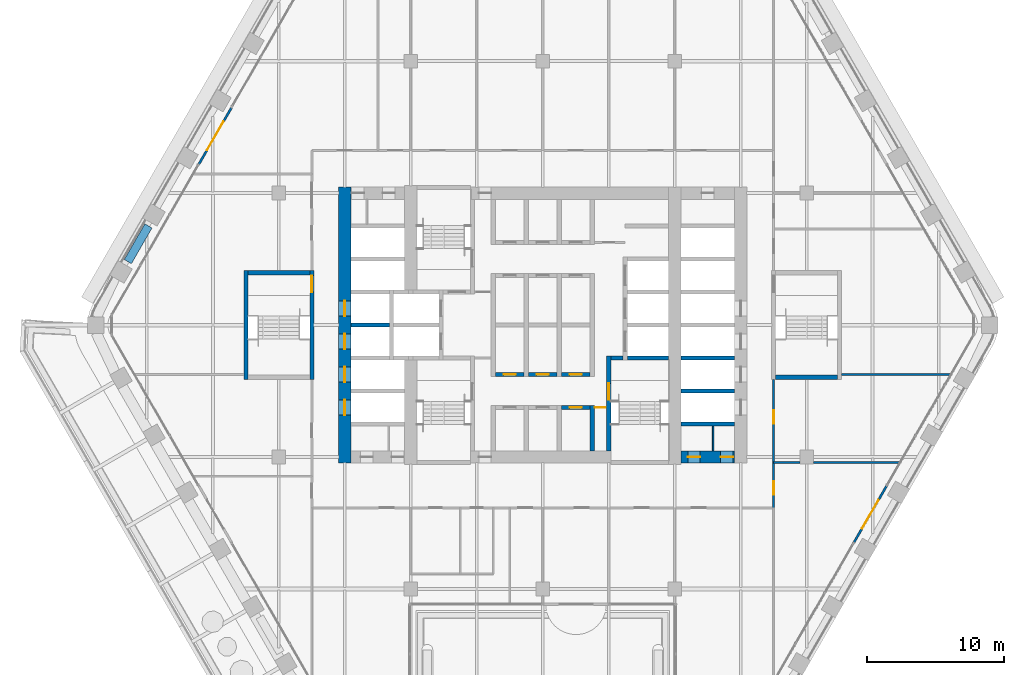
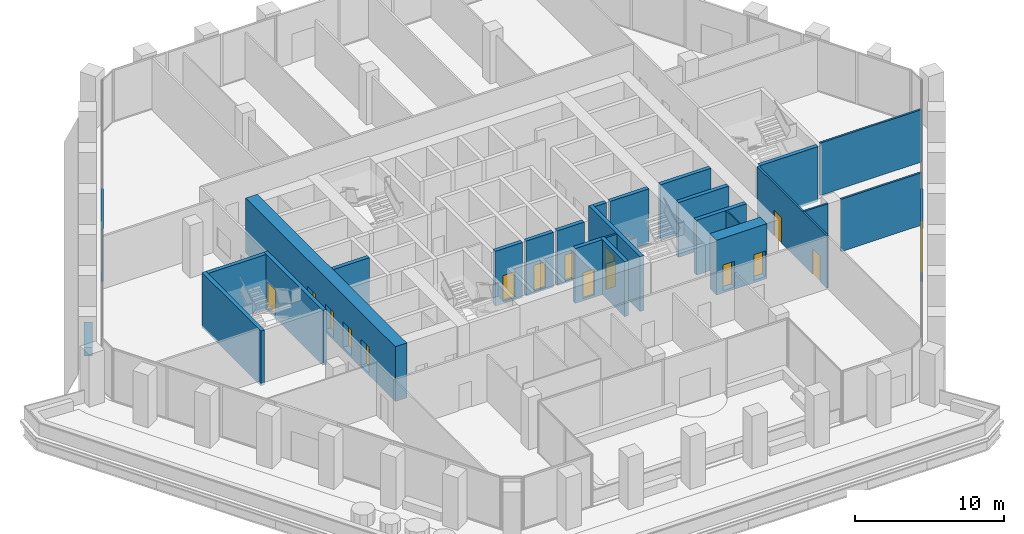
# One storey, part 17 of 27: 27 walls, 17 doors, 17 openings.
"""IFC4 building model written with IfcOpenShell, lengths in metres."""

from ifc_helpers import new_model, si_unit, direction, frame, frame_2d, origin, place, context, subcontext, project, spatial, rectangle, extrude, material, layer, layer_set, type_object, element, fill, save


model = new_model("IFC4")

# Units and contexts
model_context = context("Model", 3, precision=1e-05, world=origin(), true_north=direction((0.0, 1.0)))
body_context = subcontext(model_context, "Body", "Model", "MODEL_VIEW")
ifc_project = project(units=[si_unit("LENGTHUNIT", "METRE"), si_unit("AREAUNIT", "SQUARE_METRE"), si_unit("VOLUMEUNIT", "CUBIC_METRE"), si_unit("PLANEANGLEUNIT", "RADIAN"), si_unit("MASSUNIT", "GRAM", prefix="KILO")], contexts=[model_context])

# Site, building, storey
site_placement = place(None, origin())
site = spatial("IfcSite", under=ifc_project, at=site_placement, CompositionType="ELEMENT")
building_placement = place(site_placement, origin())
building = spatial("IfcBuilding", under=site, at=building_placement, Name="Kolab Exchange Tower", CompositionType="ELEMENT")
storey_placement = place(building_placement, frame((0.0, 0.0, 109.39990234375)))
storey = spatial("IfcBuildingStorey", under=building, at=storey_placement, Name="L21", CompositionType="ELEMENT", Elevation=109.39990234375)

# Wall, openings, doors
ifc_material_1 = material(Name="Concrete C70/85", Category="concrete")
ifc_layer_1 = layer(ifc_material_1, 0.89990234375)
ifc_layer_set_1 = layer_set([ifc_layer_1], Name="Concrete C70/85")
wall_type_1 = type_object("IfcWallType", Name="CORE WALL 900 C70/85", PredefinedType="SHEAR", material=ifc_layer_set_1)
wall_1_placement = place(storey_placement, frame((10.050048828125, -9.60009765625, -0.199951171875), z_axis=(0.0, 0.0, 1.0), x_axis=(1.0, 0.0, 0.0)))
wall_1 = element("IfcWall", 1, at=wall_1_placement, inside=storey, type_object=wall_type_1, Name="wall/L21/core/004", PredefinedType="SHEAR", context=body_context, shape_type="SweptSolid", body=[
    extrude(rectangle(XDim=3.89990234375, YDim=0.89990234375, at=frame_2d((1.949951171875, 0.0))), origin(), (0.0, 0.0, 1.0), 4.5),
])
opening_1_placement = place(wall_1_placement, frame((0.5, 0.0, 0.199951171875)))
opening_1 = element("IfcOpeningElement", 2, at=opening_1_placement, cuts=wall_1, Name="Opening D6-232", PredefinedType="OPENING", context=body_context, shape_type="SweptSolid", body=[
    extrude(rectangle(XDim=0.89990234375, YDim=2.10009765625, at=frame_2d((0.449951171875, 1.050048828125))), frame((0.0, 0.4599609375, 0.0), z_axis=(0.0, -1.0, 0.0), x_axis=(1.0, 0.0, 0.0)), (0.0, 0.0, 1.0), 0.919921875),
])
opening_2_placement = place(wall_1_placement, frame((2.89990234375, 0.0, 0.199951171875)))
opening_2 = element("IfcOpeningElement", 3, at=opening_2_placement, cuts=wall_1, Name="Opening D6-233", PredefinedType="OPENING", context=body_context, shape_type="SweptSolid", body=[
    extrude(rectangle(XDim=0.89990234375, YDim=2.10009765625, at=frame_2d((0.449951171875, 1.050048828125))), frame((0.0, 0.4599609375, 0.0), z_axis=(0.0, -1.0, 0.0), x_axis=(1.0, 0.0, 0.0)), (0.0, 0.0, 1.0), 0.919921875),
])
ifc_material_2 = material(Name="Steel S235", Category="steel")
door_type_1 = type_object("IfcDoorType", Name="CORE DOOR 900 EI 120", OperationType="SINGLE_SWING_LEFT", PredefinedType="DOOR", material=ifc_material_2)
door_1_placement = place(opening_1_placement, origin())
door_1 = element("IfcDoor", 4, at=door_1_placement, inside=storey, type_object=door_type_1, Name="Service room door", OperationType="SINGLE_SWING_LEFT", OverallHeight=2.10009765625, OverallWidth=0.89990234375, PredefinedType="DOOR", context=body_context, shape_type="SweptSolid", body=[
    extrude(rectangle(XDim=0.89990234375, YDim=2.10009765625, at=frame_2d((0.449951171875, 1.050048828125))), frame((0.0, 0.02490234375, 0.0), z_axis=(0.0, -1.0, 0.0), x_axis=(1.0, 0.0, 0.0)), (0.0, 0.0, 1.0), 0.050048828125),
])
fill(opening_1, door_1)
door_2_placement = place(opening_2_placement, origin())
door_2 = element("IfcDoor", 5, at=door_2_placement, inside=storey, type_object=door_type_1, Name="Service room door", OperationType="SINGLE_SWING_LEFT", OverallHeight=2.10009765625, OverallWidth=0.89990234375, PredefinedType="DOOR", context=body_context, shape_type="SweptSolid", body=[
    extrude(rectangle(XDim=0.89990234375, YDim=2.10009765625, at=frame_2d((0.449951171875, 1.050048828125))), frame((0.0, 0.02490234375, 0.0), z_axis=(0.0, -1.0, 0.0), x_axis=(1.0, 0.0, 0.0)), (0.0, 0.0, 1.0), 0.050048828125),
])
fill(opening_2, door_2)

wall_2_placement = place(storey_placement, frame((-14.39990234375, -10.050048828125, -0.199951171875), z_axis=(0.0, 0.0, 1.0), x_axis=(0.0, 1.0, 0.0)))
wall_2 = element("IfcWall", 6, at=wall_2_placement, inside=storey, type_object=wall_type_1, Name="wall/L21/core/057", PredefinedType="SHEAR", context=body_context, shape_type="SweptSolid", body=[
    extrude(rectangle(XDim=20.10009765625, YDim=0.89990234375, at=frame_2d((10.050048828125, 0.0))), origin(), (0.0, 0.0, 1.0), 4.5),
])
opening_3_placement = place(wall_2_placement, frame((3.5, 0.0, 0.199951171875)))
opening_3 = element("IfcOpeningElement", 7, at=opening_3_placement, cuts=wall_2, Name="Opening LD1-073", PredefinedType="OPENING", context=body_context, shape_type="SweptSolid", body=[
    extrude(rectangle(XDim=1.10009765625, YDim=2.10009765625, at=frame_2d((0.550048828125, 1.050048828125))), frame((0.0, 0.4599609375, 0.0), z_axis=(0.0, -1.0, 0.0), x_axis=(1.0, 0.0, 0.0)), (0.0, 0.0, 1.0), 0.919921875),
])
opening_4_placement = place(wall_2_placement, frame((5.89990234375, 0.0, 0.199951171875)))
opening_4 = element("IfcOpeningElement", 8, at=opening_4_placement, cuts=wall_2, Name="Opening LD1-074", PredefinedType="OPENING", context=body_context, shape_type="SweptSolid", body=[
    extrude(rectangle(XDim=1.10009765625, YDim=2.10009765625, at=frame_2d((0.550048828125, 1.050048828125))), frame((0.0, 0.4599609375, 0.0), z_axis=(0.0, -1.0, 0.0), x_axis=(1.0, 0.0, 0.0)), (0.0, 0.0, 1.0), 0.919921875),
])
opening_5_placement = place(wall_2_placement, frame((8.300048828125, 0.0, 0.199951171875)))
opening_5 = element("IfcOpeningElement", 9, at=opening_5_placement, cuts=wall_2, Name="Opening LD1-075", PredefinedType="OPENING", context=body_context, shape_type="SweptSolid", body=[
    extrude(rectangle(XDim=1.10009765625, YDim=2.10009765625, at=frame_2d((0.550048828125, 1.050048828125))), frame((0.0, 0.4599609375, 0.0), z_axis=(0.0, -1.0, 0.0), x_axis=(1.0, 0.0, 0.0)), (0.0, 0.0, 1.0), 0.919921875),
])
opening_6_placement = place(wall_2_placement, frame((10.699951171875, 0.0, 0.199951171875)))
opening_6 = element("IfcOpeningElement", 10, at=opening_6_placement, cuts=wall_2, Name="Opening LD1-076", PredefinedType="OPENING", context=body_context, shape_type="SweptSolid", body=[
    extrude(rectangle(XDim=1.10009765625, YDim=2.10009765625, at=frame_2d((0.550048828125, 1.050048828125))), frame((0.0, 0.4599609375, 0.0), z_axis=(0.0, -1.0, 0.0), x_axis=(1.0, 0.0, 0.0)), (0.0, 0.0, 1.0), 0.919921875),
])
ifc_material_3 = material(Name="Stainless steel 316", Category="steel")
door_type_2 = type_object("IfcDoorType", Name="LANDING DOOR 1100 PASSENGER", OperationType="DOUBLE_DOOR_SLIDING", PredefinedType="DOOR", material=ifc_material_3)
door_3_placement = place(opening_3_placement, origin())
door_3 = element("IfcDoor", 11, at=door_3_placement, inside=storey, type_object=door_type_2, Name="Landing door LR5", OperationType="DOUBLE_DOOR_SLIDING", OverallHeight=2.10009765625, OverallWidth=1.10009765625, PredefinedType="DOOR", context=body_context, shape_type="SweptSolid", body=[
    extrude(rectangle(XDim=1.10009765625, YDim=2.10009765625, at=frame_2d((0.550048828125, 1.050048828125))), frame((0.0, 0.02490234375, 0.0), z_axis=(0.0, -1.0, 0.0), x_axis=(1.0, 0.0, 0.0)), (0.0, 0.0, 1.0), 0.050048828125),
])
fill(opening_3, door_3)
door_4_placement = place(opening_4_placement, origin())
door_4 = element("IfcDoor", 12, at=door_4_placement, inside=storey, type_object=door_type_2, Name="Landing door LR6", OperationType="DOUBLE_DOOR_SLIDING", OverallHeight=2.10009765625, OverallWidth=1.10009765625, PredefinedType="DOOR", context=body_context, shape_type="SweptSolid", body=[
    extrude(rectangle(XDim=1.10009765625, YDim=2.10009765625, at=frame_2d((0.550048828125, 1.050048828125))), frame((0.0, 0.02490234375, 0.0), z_axis=(0.0, -1.0, 0.0), x_axis=(1.0, 0.0, 0.0)), (0.0, 0.0, 1.0), 0.050048828125),
])
fill(opening_4, door_4)
door_5_placement = place(opening_5_placement, origin())
door_5 = element("IfcDoor", 13, at=door_5_placement, inside=storey, type_object=door_type_2, Name="Landing door LR7", OperationType="DOUBLE_DOOR_SLIDING", OverallHeight=2.10009765625, OverallWidth=1.10009765625, PredefinedType="DOOR", context=body_context, shape_type="SweptSolid", body=[
    extrude(rectangle(XDim=1.10009765625, YDim=2.10009765625, at=frame_2d((0.550048828125, 1.050048828125))), frame((0.0, 0.02490234375, 0.0), z_axis=(0.0, -1.0, 0.0), x_axis=(1.0, 0.0, 0.0)), (0.0, 0.0, 1.0), 0.050048828125),
])
fill(opening_5, door_5)
door_6_placement = place(opening_6_placement, origin())
door_6 = element("IfcDoor", 14, at=door_6_placement, inside=storey, type_object=door_type_2, Name="Landing door LR8", OperationType="DOUBLE_DOOR_SLIDING", OverallHeight=2.10009765625, OverallWidth=1.10009765625, PredefinedType="DOOR", context=body_context, shape_type="SweptSolid", body=[
    extrude(rectangle(XDim=1.10009765625, YDim=2.10009765625, at=frame_2d((0.550048828125, 1.050048828125))), frame((0.0, 0.02490234375, 0.0), z_axis=(0.0, -1.0, 0.0), x_axis=(1.0, 0.0, 0.0)), (0.0, 0.0, 1.0), 0.050048828125),
])
fill(opening_6, door_6)

# Wall, opening, door
ifc_material_4 = material(Name="Aluminium EN AW-6063 T6", Category="aluminium")
ifc_layer_2 = layer(ifc_material_4, 0.159912109375)
ifc_layer_set_2 = layer_set([ifc_layer_2], Name="Aluminium EN AW-6063 T6")
wall_type_2 = type_object("IfcWallType", Name="DOOR SURROUND WALL 160 ALUMINIUM FRAMED", PredefinedType="PARTITIONING", material=ifc_layer_set_2)
wall_3_placement = place(storey_placement, frame((25.0166015625, -11.706787109375, 0.0), z_axis=(0.0, 0.0, 1.0), x_axis=(-0.499978080042, -0.866038058908, 0.0)))
wall_3 = element("IfcWall", 15, at=wall_3_placement, inside=storey, type_object=wall_type_2, Name="Door surround wall", PredefinedType="PARTITIONING", context=body_context, shape_type="SweptSolid", body=[
    extrude(rectangle(XDim=4.739990234375, YDim=0.159912109375, at=frame_2d((2.3701171875, 0.0))), origin(), (0.0, 0.0, 1.0), 4.300048828125),
])
opening_7_placement = place(wall_3_placement, frame((1.169921875, 0.0, 0.0)))
opening_7 = element("IfcOpeningElement", 16, at=opening_7_placement, cuts=wall_3, Name="Opening GD1-036", PredefinedType="OPENING", context=body_context, shape_type="SweptSolid", body=[
    extrude(rectangle(XDim=2.39990234375, YDim=2.39990234375, at=frame_2d((1.199951171875, 1.199951171875))), frame((0.0, 0.08984375, 0.0), z_axis=(0.0, -1.0, 0.0), x_axis=(1.0, 0.0, 0.0)), (0.0, 0.0, 1.0), 0.179931640625),
])
door_type_3 = type_object("IfcDoorType", Name="LOGGIA SLIDING GLASS DOOR 2400 X 2400", OperationType="DOUBLE_DOOR_SINGLE_SWING", PredefinedType="DOOR", material=ifc_material_4)
door_7_placement = place(opening_7_placement, origin())
door_7 = element("IfcDoor", 17, at=door_7_placement, inside=storey, type_object=door_type_3, Name="Loggia door", OperationType="DOUBLE_DOOR_SLIDING", OverallHeight=2.39990234375, OverallWidth=2.39990234375, PredefinedType="DOOR", context=body_context, shape_type="SweptSolid", body=[
    extrude(rectangle(XDim=2.39990234375, YDim=2.39990234375, at=frame_2d((1.199951171875, 1.199951171875))), frame((0.0, 0.02490234375, 0.0), z_axis=(0.0, -1.0, 0.0), x_axis=(1.0, 0.0, 0.0)), (0.0, 0.0, 1.0), 0.050048828125),
])
fill(opening_7, door_7)

wall_4_placement = place(storey_placement, frame((-25.0166015625, 11.706787109375, 0.0), z_axis=(0.0, 0.0, 1.0), x_axis=(0.499978080042, 0.866038058908, 0.0)))
wall_4 = element("IfcWall", 18, at=wall_4_placement, inside=storey, type_object=wall_type_2, Name="Door surround wall", PredefinedType="PARTITIONING", context=body_context, shape_type="SweptSolid", body=[
    extrude(rectangle(XDim=4.739990234375, YDim=0.159912109375, at=frame_2d((2.3701171875, 0.0))), origin(), (0.0, 0.0, 1.0), 4.300048828125),
])
opening_8_placement = place(wall_4_placement, frame((1.169921875, 0.0, 0.0)))
opening_8 = element("IfcOpeningElement", 19, at=opening_8_placement, cuts=wall_4, Name="Opening GD1-039", PredefinedType="OPENING", context=body_context, shape_type="SweptSolid", body=[
    extrude(rectangle(XDim=2.39990234375, YDim=2.39990234375, at=frame_2d((1.199951171875, 1.199951171875))), frame((0.0, 0.08984375, 0.0), z_axis=(0.0, -1.0, 0.0), x_axis=(1.0, 0.0, 0.0)), (0.0, 0.0, 1.0), 0.179931640625),
])
door_8_placement = place(opening_8_placement, origin())
door_8 = element("IfcDoor", 20, at=door_8_placement, inside=storey, type_object=door_type_3, Name="Loggia door", OperationType="DOUBLE_DOOR_SLIDING", OverallHeight=2.39990234375, OverallWidth=2.39990234375, PredefinedType="DOOR", context=body_context, shape_type="SweptSolid", body=[
    extrude(rectangle(XDim=2.39990234375, YDim=2.39990234375, at=frame_2d((1.199951171875, 1.199951171875))), frame((0.0, 0.02490234375, 0.0), z_axis=(0.0, -1.0, 0.0), x_axis=(1.0, 0.0, 0.0)), (0.0, 0.0, 1.0), 0.050048828125),
])
fill(opening_8, door_8)

# Wall
ifc_material_5 = material(Name="Concrete C50/60", Category="concrete")
ifc_layer_3 = layer(ifc_material_5, 0.300048828125)
ifc_layer_set_3 = layer_set([ifc_layer_3], Name="Concrete C50/60")
wall_type_3 = type_object("IfcWallType", Name="LIFT SHAFT WALL 300 C50/60", PredefinedType="STANDARD", material=ifc_layer_set_3)
wall_5_placement = place(storey_placement, frame((10.050048828125, -7.199951171875, -0.199951171875), z_axis=(0.0, 0.0, 1.0), x_axis=(1.0, 0.0, 0.0)))
element("IfcWall", 21, at=wall_5_placement, inside=storey, type_object=wall_type_3, Name="wall/L21/core/006", PredefinedType="STANDARD", context=body_context, shape_type="SweptSolid", body=[
    extrude(rectangle(XDim=3.89990234375, YDim=0.300048828125, at=frame_2d((1.949951171875, 0.0))), origin(), (0.0, 0.0, 1.0), 4.5),
])

# Wall, opening, door
wall_6_placement = place(storey_placement, frame((1.35009765625, -6.0, -0.199951171875), z_axis=(0.0, 0.0, 1.0), x_axis=(1.0, 0.0, 0.0)))
wall_6 = element("IfcWall", 22, at=wall_6_placement, inside=storey, type_object=wall_type_3, Name="wall/L21/core/009", PredefinedType="STANDARD", context=body_context, shape_type="SweptSolid", body=[
    extrude(rectangle(XDim=2.099853515625, YDim=0.300048828125, at=frame_2d((1.0498046875, 0.0))), origin(), (0.0, 0.0, 1.0), 4.5),
])
opening_9_placement = place(wall_6_placement, frame((0.60009765625, 0.0, 0.199951171875)))
opening_9 = element("IfcOpeningElement", 23, at=opening_9_placement, cuts=wall_6, Name="Opening D6-200", PredefinedType="OPENING", context=body_context, shape_type="SweptSolid", body=[
    extrude(rectangle(XDim=0.89990234375, YDim=2.10009765625, at=frame_2d((0.449951171875, 1.050048828125))), frame((0.0, 0.16015625, 0.0), z_axis=(0.0, -1.0, 0.0), x_axis=(1.0, 0.0, 0.0)), (0.0, 0.0, 1.0), 0.320068359375),
])
door_9_placement = place(opening_9_placement, frame((0.89990234375, 0.0, 0.0), z_axis=(0.0, 0.0, 1.0), x_axis=(-1.0, 0.0, 0.0)))
door_9 = element("IfcDoor", 24, at=door_9_placement, inside=storey, type_object=door_type_1, Name="Service room door", OperationType="SINGLE_SWING_RIGHT", OverallHeight=2.10009765625, OverallWidth=0.89990234375, PredefinedType="DOOR", context=body_context, shape_type="SweptSolid", body=[
    extrude(rectangle(XDim=0.89990234375, YDim=2.10009765625, at=frame_2d((0.449951171875, 1.050048828125))), frame((0.0, 0.02490234375, 0.0), z_axis=(0.0, -1.0, 0.0), x_axis=(1.0, 0.0, 0.0)), (0.0, 0.0, 1.0), 0.050048828125),
])
fill(opening_9, door_9)

# Wall
wall_7_placement = place(storey_placement, frame((10.050048828125, -4.800048828125, -0.199951171875), z_axis=(0.0, 0.0, 1.0), x_axis=(1.0, 0.0, 0.0)))
element("IfcWall", 25, at=wall_7_placement, inside=storey, type_object=wall_type_3, Name="wall/L21/core/011", PredefinedType="STANDARD", context=body_context, shape_type="SweptSolid", body=[
    extrude(rectangle(XDim=3.89990234375, YDim=0.300048828125, at=frame_2d((1.949951171875, 0.0))), origin(), (0.0, 0.0, 1.0), 4.5),
])

# Wall, opening, door
wall_8_placement = place(storey_placement, frame((-3.449951171875, -3.60009765625, -0.199951171875), z_axis=(0.0, 0.0, 1.0), x_axis=(1.0, 0.0, 0.0)))
wall_8 = element("IfcWall", 26, at=wall_8_placement, inside=storey, type_object=wall_type_3, Name="wall/L21/core/014", PredefinedType="STANDARD", context=body_context, shape_type="SweptSolid", body=[
    extrude(rectangle(XDim=2.099853515625, YDim=0.300048828125, at=frame_2d((1.0498046875, 0.0))), origin(), (0.0, 0.0, 1.0), 4.5),
])
opening_10_placement = place(wall_8_placement, frame((0.60009765625, 0.0, 0.199951171875)))
opening_10 = element("IfcOpeningElement", 27, at=opening_10_placement, cuts=wall_8, Name="Opening D6-199", PredefinedType="OPENING", context=body_context, shape_type="SweptSolid", body=[
    extrude(rectangle(XDim=0.89990234375, YDim=2.10009765625, at=frame_2d((0.449951171875, 1.050048828125))), frame((0.0, 0.16015625, 0.0), z_axis=(0.0, -1.0, 0.0), x_axis=(1.0, 0.0, 0.0)), (0.0, 0.0, 1.0), 0.320068359375),
])
door_10_placement = place(opening_10_placement, origin())
door_10 = element("IfcDoor", 28, at=door_10_placement, inside=storey, type_object=door_type_1, Name="Service room door", OperationType="SINGLE_SWING_LEFT", OverallHeight=2.10009765625, OverallWidth=0.89990234375, PredefinedType="DOOR", context=body_context, shape_type="SweptSolid", body=[
    extrude(rectangle(XDim=0.89990234375, YDim=2.10009765625, at=frame_2d((0.449951171875, 1.050048828125))), frame((0.0, 0.02490234375, 0.0), z_axis=(0.0, -1.0, 0.0), x_axis=(1.0, 0.0, 0.0)), (0.0, 0.0, 1.0), 0.050048828125),
])
fill(opening_10, door_10)

wall_9_placement = place(storey_placement, frame((-1.050048828125, -3.60009765625, -0.199951171875), z_axis=(0.0, 0.0, 1.0), x_axis=(1.0, 0.0, 0.0)))
wall_9 = element("IfcWall", 29, at=wall_9_placement, inside=storey, type_object=wall_type_3, Name="wall/L21/core/015", PredefinedType="STANDARD", context=body_context, shape_type="SweptSolid", body=[
    extrude(rectangle(XDim=2.10009765625, YDim=0.300048828125, at=frame_2d((1.050048828125, 0.0))), origin(), (0.0, 0.0, 1.0), 4.5),
])
opening_11_placement = place(wall_9_placement, frame((0.60009765625, 0.0, 0.199951171875)))
opening_11 = element("IfcOpeningElement", 30, at=opening_11_placement, cuts=wall_9, Name="Opening D6-215", PredefinedType="OPENING", context=body_context, shape_type="SweptSolid", body=[
    extrude(rectangle(XDim=0.89990234375, YDim=2.10009765625, at=frame_2d((0.449951171875, 1.050048828125))), frame((0.0, 0.16015625, 0.0), z_axis=(0.0, -1.0, 0.0), x_axis=(1.0, 0.0, 0.0)), (0.0, 0.0, 1.0), 0.320068359375),
])
door_11_placement = place(opening_11_placement, origin())
door_11 = element("IfcDoor", 31, at=door_11_placement, inside=storey, type_object=door_type_1, Name="Service room door", OperationType="SINGLE_SWING_LEFT", OverallHeight=2.10009765625, OverallWidth=0.89990234375, PredefinedType="DOOR", context=body_context, shape_type="SweptSolid", body=[
    extrude(rectangle(XDim=0.89990234375, YDim=2.10009765625, at=frame_2d((0.449951171875, 1.050048828125))), frame((0.0, 0.02490234375, 0.0), z_axis=(0.0, -1.0, 0.0), x_axis=(1.0, 0.0, 0.0)), (0.0, 0.0, 1.0), 0.050048828125),
])
fill(opening_11, door_11)

wall_10_placement = place(storey_placement, frame((1.35009765625, -3.60009765625, -0.199951171875), z_axis=(0.0, 0.0, 1.0), x_axis=(1.0, 0.0, 0.0)))
wall_10 = element("IfcWall", 32, at=wall_10_placement, inside=storey, type_object=wall_type_3, Name="wall/L21/core/016", PredefinedType="STANDARD", context=body_context, shape_type="SweptSolid", body=[
    extrude(rectangle(XDim=2.099853515625, YDim=0.300048828125, at=frame_2d((1.0498046875, 0.0))), origin(), (0.0, 0.0, 1.0), 4.5),
])
opening_12_placement = place(wall_10_placement, frame((0.60009765625, 0.0, 0.199951171875)))
opening_12 = element("IfcOpeningElement", 33, at=opening_12_placement, cuts=wall_10, Name="Opening D6-197", PredefinedType="OPENING", context=body_context, shape_type="SweptSolid", body=[
    extrude(rectangle(XDim=0.89990234375, YDim=2.10009765625, at=frame_2d((0.449951171875, 1.050048828125))), frame((0.0, 0.16015625, 0.0), z_axis=(0.0, -1.0, 0.0), x_axis=(1.0, 0.0, 0.0)), (0.0, 0.0, 1.0), 0.320068359375),
])
door_12_placement = place(opening_12_placement, origin())
door_12 = element("IfcDoor", 34, at=door_12_placement, inside=storey, type_object=door_type_1, Name="Service room door", OperationType="SINGLE_SWING_RIGHT", OverallHeight=2.10009765625, OverallWidth=0.89990234375, PredefinedType="DOOR", context=body_context, shape_type="SweptSolid", body=[
    extrude(rectangle(XDim=0.89990234375, YDim=2.10009765625, at=frame_2d((0.449951171875, 1.050048828125))), frame((0.0, 0.02490234375, 0.0), z_axis=(0.0, -1.0, 0.0), x_axis=(1.0, 0.0, 0.0)), (0.0, 0.0, 1.0), 0.050048828125),
])
fill(opening_12, door_12)

# Walls
wall_11_placement = place(storey_placement, frame((10.050048828125, -2.39990234375, -0.199951171875), z_axis=(0.0, 0.0, 1.0), x_axis=(1.0, 0.0, 0.0)))
element("IfcWall", 35, at=wall_11_placement, inside=storey, type_object=wall_type_3, Name="wall/L21/core/023", PredefinedType="STANDARD", context=body_context, shape_type="SweptSolid", body=[
    extrude(rectangle(XDim=3.89990234375, YDim=0.300048828125, at=frame_2d((1.949951171875, 0.0))), origin(), (0.0, 0.0, 1.0), 4.5),
])
wall_12_placement = place(storey_placement, frame((-13.949951171875, 0.0, -0.199951171875), z_axis=(0.0, 0.0, 1.0), x_axis=(1.0, 0.0, 0.0)))
element("IfcWall", 36, at=wall_12_placement, inside=storey, type_object=wall_type_3, Name="wall/L21/core/024", PredefinedType="STANDARD", context=body_context, shape_type="SweptSolid", body=[
    extrude(rectangle(XDim=2.800048828125, YDim=0.300048828125, at=frame_2d((1.39990234375, 0.0))), origin(), (0.0, 0.0, 1.0), 4.5),
])
wall_13_placement = place(storey_placement, frame((3.60009765625, -9.14990234375, -0.199951171875), z_axis=(0.0, 0.0, 1.0), x_axis=(0.0, 1.0, 0.0)))
element("IfcWall", 37, at=wall_13_placement, inside=storey, type_object=wall_type_3, Name="wall/L21/core/075", PredefinedType="STANDARD", context=body_context, shape_type="SweptSolid", body=[
    extrude(rectangle(XDim=3.2998046875, YDim=0.300048828125, at=frame_2d((1.64990234375, 0.0))), origin(), (0.0, 0.0, 1.0), 4.5),
])
ifc_material_6 = material(Name="Gypsum board", Category="gypsum")
ifc_layer_4 = layer(ifc_material_6, 0.10009765625)
ifc_layer_set_4 = layer_set([ifc_layer_4], Name="Gypsum board")
wall_type_4 = type_object("IfcWallType", Name="PARTITION 100", PredefinedType="PARTITIONING", material=ifc_layer_set_4)
wall_14_placement = place(storey_placement, frame((12.39990234375, -9.14990234375, 0.0), z_axis=(0.0, 0.0, 1.0), x_axis=(0.0, 1.0, 0.0)))
element("IfcWall", 38, at=wall_14_placement, inside=storey, type_object=wall_type_4, Name="Partition 004", PredefinedType="PARTITIONING", context=body_context, shape_type="SweptSolid", body=[
    extrude(rectangle(XDim=1.7998046875, YDim=0.10009765625, at=frame_2d((0.89990234375, 0.0))), origin(), (0.0, 0.0, 1.0), 4.300048828125),
])

# Wall, openings, doors
ifc_layer_5 = layer(ifc_material_6, 0.14990234375)
ifc_layer_set_5 = layer_set([ifc_layer_5], Name="Gypsum board")
wall_type_5 = type_object("IfcWallType", Name="PARTITION 150 FIRE-RATED", PredefinedType="PARTITIONING", material=ifc_layer_set_5)
wall_15_placement = place(storey_placement, frame((16.800048828125, -13.300048828125, 0.0), z_axis=(0.0, 0.0, 1.0), x_axis=(0.0, 1.0, 0.0)))
wall_15 = element("IfcWall", 39, at=wall_15_placement, inside=storey, type_object=wall_type_5, Name="Partition 002", PredefinedType="PARTITIONING", context=body_context, shape_type="SweptSolid", body=[
    extrude(rectangle(XDim=9.35009765625, YDim=0.14990234375, at=frame_2d((4.675048828125, 0.0))), origin(), (0.0, 0.0, 1.0), 4.300048828125),
])
opening_13_placement = place(wall_15_placement, frame((0.93994140625, 0.0, 0.0)))
opening_13 = element("IfcOpeningElement", 40, at=opening_13_placement, cuts=wall_15, Name="Opening D1-292", PredefinedType="OPENING", context=body_context, shape_type="SweptSolid", body=[
    extrude(rectangle(XDim=1.0, YDim=2.10009765625, at=frame_2d((0.5, 1.050048828125))), frame((0.0, 0.0849609375, 0.0), z_axis=(0.0, -1.0, 0.0), x_axis=(1.0, 0.0, 0.0)), (0.0, 0.0, 1.0), 0.169921875),
])
opening_14_placement = place(wall_15_placement, frame((6.10009765625, 0.0, 0.0)))
opening_14 = element("IfcOpeningElement", 41, at=opening_14_placement, cuts=wall_15, Name="Opening D1-293", PredefinedType="OPENING", context=body_context, shape_type="SweptSolid", body=[
    extrude(rectangle(XDim=1.0, YDim=2.10009765625, at=frame_2d((0.5, 1.050048828125))), frame((0.0, 0.0849609375, 0.0), z_axis=(0.0, -1.0, 0.0), x_axis=(1.0, 0.0, 0.0)), (0.0, 0.0, 1.0), 0.169921875),
])
door_type_4 = type_object("IfcDoorType", Name="FLUSH DOOR 1000 FD60", OperationType="SINGLE_SWING_LEFT", PredefinedType="DOOR", material=ifc_material_2)
door_13_placement = place(opening_13_placement, frame((1.0, 0.0, 0.0), z_axis=(0.0, 0.0, 1.0), x_axis=(-1.0, 0.0, 0.0)))
door_13 = element("IfcDoor", 42, at=door_13_placement, inside=storey, type_object=door_type_4, Name="Door L21-061", OperationType="SINGLE_SWING_RIGHT", OverallHeight=2.10009765625, OverallWidth=1.0, PredefinedType="DOOR", context=body_context, shape_type="SweptSolid", body=[
    extrude(rectangle(XDim=1.0, YDim=2.10009765625, at=frame_2d((0.5, 1.050048828125))), frame((0.0, 0.02490234375, 0.0), z_axis=(0.0, -1.0, 0.0), x_axis=(1.0, 0.0, 0.0)), (0.0, 0.0, 1.0), 0.050048828125),
])
fill(opening_13, door_13)
door_14_placement = place(opening_14_placement, frame((1.0, 0.0, 0.0), z_axis=(0.0, 0.0, 1.0), x_axis=(-1.0, 0.0, 0.0)))
door_14 = element("IfcDoor", 43, at=door_14_placement, inside=storey, type_object=door_type_4, Name="Door L21-062", OperationType="SINGLE_SWING_RIGHT", OverallHeight=2.10009765625, OverallWidth=1.0, PredefinedType="DOOR", context=body_context, shape_type="SweptSolid", body=[
    extrude(rectangle(XDim=1.0, YDim=2.10009765625, at=frame_2d((0.5, 1.050048828125))), frame((0.0, 0.02490234375, 0.0), z_axis=(0.0, -1.0, 0.0), x_axis=(1.0, 0.0, 0.0)), (0.0, 0.0, 1.0), 0.050048828125),
])
fill(opening_14, door_14)

# Walls
wall_16_placement = place(storey_placement, frame((16.800048828125, -10.0, 0.0), z_axis=(0.0, 0.0, 1.0), x_axis=(1.0, 0.0, 0.0)))
element("IfcWall", 44, at=wall_16_placement, inside=storey, type_object=wall_type_5, Name="Partition 031", PredefinedType="PARTITIONING", context=body_context, shape_type="SweptSolid", body=[
    extrude(rectangle(XDim=1.89990234375, YDim=0.14990234375, at=frame_2d((0.949951171875, 0.0))), origin(), (0.0, 0.0, 1.0), 4.300048828125),
])
wall_17_placement = place(storey_placement, frame((19.699951171875, -10.0, 0.0), z_axis=(0.0, 0.0, 1.0), x_axis=(1.0, 0.0, 0.0)))
element("IfcWall", 45, at=wall_17_placement, inside=storey, type_object=wall_type_5, Name="Partition 032", PredefinedType="PARTITIONING", context=body_context, shape_type="SweptSolid", body=[
    extrude(rectangle(XDim=6.255859375, YDim=0.14990234375, at=frame_2d((3.1279296875, 0.0))), origin(), (0.0, 0.0, 1.0), 4.300048828125),
])

# Wall, opening, door
wall_18_placement = place(storey_placement, frame((3.75, -6.0, 0.0), z_axis=(0.0, 0.0, 1.0), x_axis=(1.0, 0.0, 0.0)))
wall_18 = element("IfcWall", 46, at=wall_18_placement, inside=storey, type_object=wall_type_5, Name="Partition 033", PredefinedType="PARTITIONING", context=body_context, shape_type="SweptSolid", body=[
    extrude(rectangle(XDim=0.89990234375, YDim=0.14990234375, at=frame_2d((0.449951171875, 0.0))), origin(), (0.0, 0.0, 1.0), 4.300048828125),
])
opening_15_placement = place(wall_18_placement, frame((0.050048828125, 0.0, 0.0)))
opening_15 = element("IfcOpeningElement", 47, at=opening_15_placement, cuts=wall_18, Name="Opening D7-019", PredefinedType="OPENING", context=body_context, shape_type="SweptSolid", body=[
    extrude(rectangle(XDim=0.800048828125, YDim=2.10009765625, at=frame_2d((0.39990234375, 1.050048828125))), frame((0.0, 0.0849609375, 0.0), z_axis=(0.0, -1.0, 0.0), x_axis=(1.0, 0.0, 0.0)), (0.0, 0.0, 1.0), 0.169921875),
])
door_type_5 = type_object("IfcDoorType", Name="FLUSH DOOR 800 FD60", OperationType="SINGLE_SWING_LEFT", PredefinedType="DOOR", material=ifc_material_2)
door_15_placement = place(opening_15_placement, frame((0.800048828125, 0.0, 0.0), z_axis=(0.0, 0.0, 1.0), x_axis=(-1.0, 0.0, 0.0)))
door_15 = element("IfcDoor", 48, at=door_15_placement, inside=storey, type_object=door_type_5, Name="Door L21-041", OperationType="SINGLE_SWING_RIGHT", OverallHeight=2.10009765625, OverallWidth=0.800048828125, PredefinedType="DOOR", context=body_context, shape_type="SweptSolid", body=[
    extrude(rectangle(XDim=0.800048828125, YDim=2.10009765625, at=frame_2d((0.39990234375, 1.050048828125))), frame((0.0, 0.02490234375, 0.0), z_axis=(0.0, -1.0, 0.0), x_axis=(1.0, 0.0, 0.0)), (0.0, 0.0, 1.0), 0.050048828125),
])
fill(opening_15, door_15)

# Walls
wall_19_placement = place(storey_placement, frame((21.75, -3.60009765625, 0.0), z_axis=(0.0, 0.0, 1.0), x_axis=(1.0, 0.0, 0.0)))
element("IfcWall", 49, at=wall_19_placement, inside=storey, type_object=wall_type_5, Name="Partition 035", PredefinedType="PARTITIONING", context=body_context, shape_type="SweptSolid", body=[
    extrude(rectangle(XDim=7.90087890625, YDim=0.14990234375, at=frame_2d((3.950439453125, 0.0))), origin(), (0.0, 0.0, 1.0), 4.300048828125),
])
ifc_material_7 = material(Name="Granite facing", Category="masonry")
ifc_layer_6 = layer(ifc_material_7, 0.0400390625)
ifc_material_8 = material(Name="Concrete C40/50 precast", Category="concrete")
ifc_layer_7 = layer(ifc_material_8, 0.56005859375)
ifc_layer_set_6 = layer_set([ifc_layer_6, ifc_layer_7], Name="Concrete C40/50 precast")
wall_type_6 = type_object("IfcWallType", Name="PLANTER BOX 600 X 700 SOIL DEPTH 550", PredefinedType="USERDEFINED", material=ifc_layer_set_6)
wall_20_placement = place(storey_placement, frame((-30.18701171875, 4.611328125, 0.0), z_axis=(0.0, 0.0, 1.0), x_axis=(0.499990139034, 0.866031096941, 0.0)))
element("IfcWall", 50, at=wall_20_placement, inside=storey, type_object=wall_type_6, Name="Planter", ObjectType="PLANTER", PredefinedType="USERDEFINED", context=body_context, shape_type="SweptSolid", body=[
    extrude(rectangle(XDim=3.0, YDim=0.60009765625, at=frame_2d((1.5, 0.0))), origin(), (0.0, 0.0, 1.0), 0.7001953125),
])
ifc_layer_8 = layer(ifc_material_5, 0.300048828125)
ifc_layer_set_7 = layer_set([ifc_layer_8], Name="Concrete C50/60")
wall_type_7 = type_object("IfcWallType", Name="STAIR ENCLOSURE WALL 300 C50/60", PredefinedType="STANDARD", material=ifc_layer_set_7)
wall_21_placement = place(storey_placement, frame((16.949951171875, -3.800048828125, -0.199951171875), z_axis=(0.0, 0.0, 1.0), x_axis=(1.0, 0.0, 0.0)))
element("IfcWall", 51, at=wall_21_placement, inside=storey, type_object=wall_type_7, Name="wall/L21/core/013", PredefinedType="STANDARD", context=body_context, shape_type="SweptSolid", body=[
    extrude(rectangle(XDim=4.5, YDim=0.300048828125, at=frame_2d((2.25, 0.0))), origin(), (0.0, 0.0, 1.0), 4.5),
])
wall_22_placement = place(storey_placement, frame((4.949951171875, -2.39990234375, -0.199951171875), z_axis=(0.0, 0.0, 1.0), x_axis=(1.0, 0.0, 0.0)))
element("IfcWall", 52, at=wall_22_placement, inside=storey, type_object=wall_type_7, Name="wall/L21/core/021", PredefinedType="STANDARD", context=body_context, shape_type="SweptSolid", body=[
    extrude(rectangle(XDim=0.900146484375, YDim=0.300048828125, at=frame_2d((0.4501953125, 0.0))), origin(), (0.0, 0.0, 1.0), 4.5),
])
wall_23_placement = place(storey_placement, frame((6.14990234375, -2.39990234375, -0.199951171875), z_axis=(0.0, 0.0, 1.0), x_axis=(1.0, 0.0, 0.0)))
element("IfcWall", 53, at=wall_23_placement, inside=storey, type_object=wall_type_7, Name="wall/L21/core/022", PredefinedType="STANDARD", context=body_context, shape_type="SweptSolid", body=[
    extrude(rectangle(XDim=3.0, YDim=0.300048828125, at=frame_2d((1.5, 0.0))), origin(), (0.0, 0.0, 1.0), 4.5),
])
wall_24_placement = place(storey_placement, frame((-21.449951171875, 3.800048828125, -0.199951171875), z_axis=(0.0, 0.0, 1.0), x_axis=(1.0, 0.0, 0.0)))
element("IfcWall", 54, at=wall_24_placement, inside=storey, type_object=wall_type_7, Name="wall/L21/core/040", PredefinedType="STANDARD", context=body_context, shape_type="SweptSolid", body=[
    extrude(rectangle(XDim=4.5, YDim=0.300048828125, at=frame_2d((2.25, 0.0))), origin(), (0.0, 0.0, 1.0), 4.5),
])
wall_25_placement = place(storey_placement, frame((-21.60009765625, -3.949951171875, -0.199951171875), z_axis=(0.0, 0.0, 1.0), x_axis=(0.0, 1.0, 0.0)))
element("IfcWall", 55, at=wall_25_placement, inside=storey, type_object=wall_type_7, Name="wall/L21/core/055", PredefinedType="STANDARD", context=body_context, shape_type="SweptSolid", body=[
    extrude(rectangle(XDim=7.89990234375, YDim=0.300048828125, at=frame_2d((3.949951171875, 0.0))), origin(), (0.0, 0.0, 1.0), 4.5),
])

# Wall, opening, door
wall_26_placement = place(storey_placement, frame((-16.800048828125, -3.949951171875, -0.199951171875), z_axis=(0.0, 0.0, 1.0), x_axis=(0.0, 1.0, 0.0)))
wall_26 = element("IfcWall", 56, at=wall_26_placement, inside=storey, type_object=wall_type_7, Name="wall/L21/core/056", PredefinedType="STANDARD", context=body_context, shape_type="SweptSolid", body=[
    extrude(rectangle(XDim=7.89990234375, YDim=0.300048828125, at=frame_2d((3.949951171875, 0.0))), origin(), (0.0, 0.0, 1.0), 4.5),
])
opening_16_placement = place(wall_26_placement, frame((6.35009765625, 0.0, 0.199951171875)))
opening_16 = element("IfcOpeningElement", 57, at=opening_16_placement, cuts=wall_26, Name="Opening D4-048", PredefinedType="OPENING", context=body_context, shape_type="SweptSolid", body=[
    extrude(rectangle(XDim=1.199951171875, YDim=2.10009765625, at=frame_2d((0.60009765625, 1.050048828125))), frame((0.0, 0.16015625, 0.0), z_axis=(0.0, -1.0, 0.0), x_axis=(1.0, 0.0, 0.0)), (0.0, 0.0, 1.0), 0.320068359375),
])
door_type_6 = type_object("IfcDoorType", Name="STAIR DOOR 1200 EI 120", OperationType="SINGLE_SWING_LEFT", PredefinedType="DOOR", material=ifc_material_2)
door_16_placement = place(opening_16_placement, origin())
door_16 = element("IfcDoor", 58, at=door_16_placement, inside=storey, type_object=door_type_6, Name="Stair 5 door", OperationType="SINGLE_SWING_RIGHT", OverallHeight=2.10009765625, OverallWidth=1.199951171875, PredefinedType="DOOR", context=body_context, shape_type="SweptSolid", body=[
    extrude(rectangle(XDim=1.199951171875, YDim=2.10009765625, at=frame_2d((0.60009765625, 1.050048828125))), frame((0.0, 0.02490234375, 0.0), z_axis=(0.0, -1.0, 0.0), x_axis=(1.0, 0.0, 0.0)), (0.0, 0.0, 1.0), 0.050048828125),
])
fill(opening_16, door_16)

wall_27_placement = place(storey_placement, frame((4.800048828125, -9.14990234375, -0.199951171875), z_axis=(0.0, 0.0, 1.0), x_axis=(0.0, 1.0, 0.0)))
wall_27 = element("IfcWall", 59, at=wall_27_placement, inside=storey, type_object=wall_type_7, Name="wall/L21/core/078", PredefinedType="STANDARD", context=body_context, shape_type="SweptSolid", body=[
    extrude(rectangle(XDim=6.89990234375, YDim=0.300048828125, at=frame_2d((3.449951171875, 0.0))), origin(), (0.0, 0.0, 1.0), 4.5),
])
opening_17_placement = place(wall_27_placement, frame((3.699951171875, 0.0, 0.199951171875)))
opening_17 = element("IfcOpeningElement", 60, at=opening_17_placement, cuts=wall_27, Name="Opening D4-045", PredefinedType="OPENING", context=body_context, shape_type="SweptSolid", body=[
    extrude(rectangle(XDim=1.199951171875, YDim=2.10009765625, at=frame_2d((0.60009765625, 1.050048828125))), frame((0.0, 0.16015625, 0.0), z_axis=(0.0, -1.0, 0.0), x_axis=(1.0, 0.0, 0.0)), (0.0, 0.0, 1.0), 0.320068359375),
])
door_17_placement = place(opening_17_placement, frame((1.199951171875, 0.0, 0.0), z_axis=(0.0, 0.0, 1.0), x_axis=(-1.0, 0.0, 0.0)))
door_17 = element("IfcDoor", 61, at=door_17_placement, inside=storey, type_object=door_type_6, Name="Stair 2 door", OperationType="SINGLE_SWING_RIGHT", OverallHeight=2.10009765625, OverallWidth=1.199951171875, PredefinedType="DOOR", context=body_context, shape_type="SweptSolid", body=[
    extrude(rectangle(XDim=1.199951171875, YDim=2.10009765625, at=frame_2d((0.60009765625, 1.050048828125))), frame((0.0, 0.02490234375, 0.0), z_axis=(0.0, -1.0, 0.0), x_axis=(1.0, 0.0, 0.0)), (0.0, 0.0, 1.0), 0.050048828125),
])
fill(opening_17, door_17)

save(model, "model.ifc")
